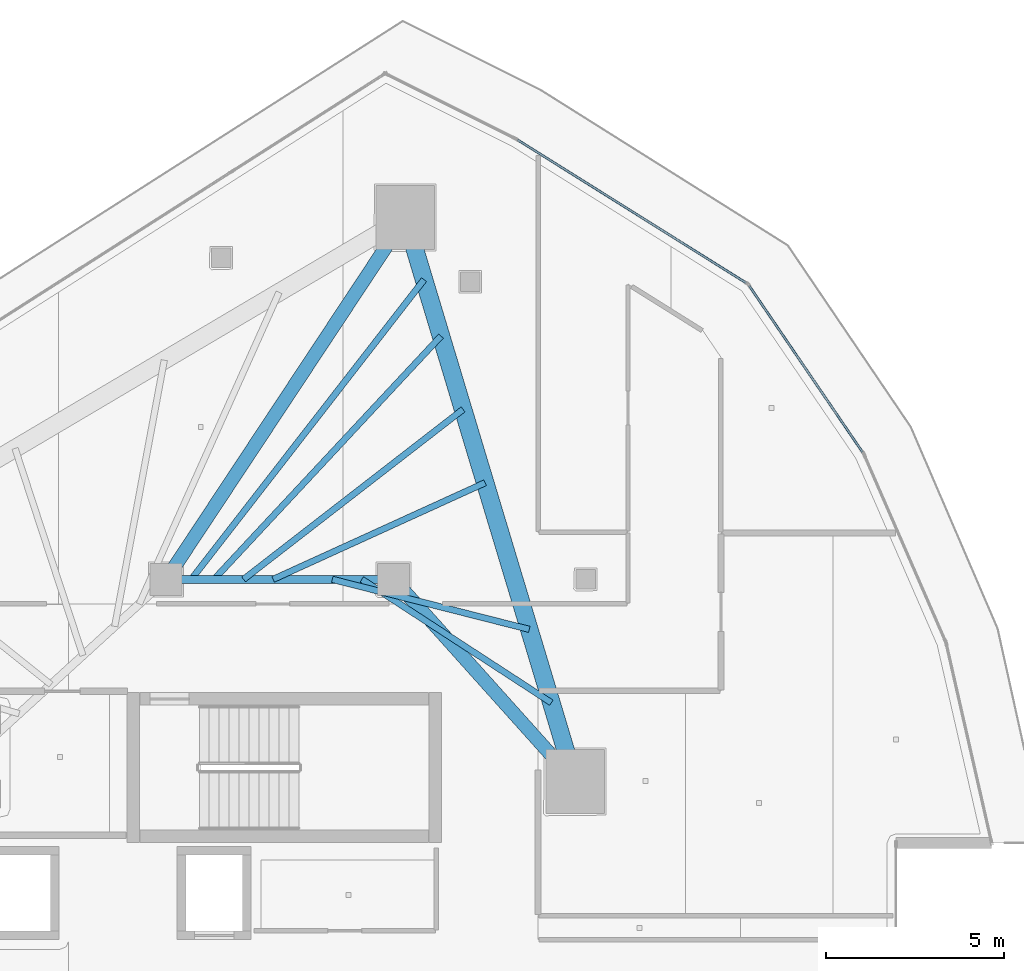
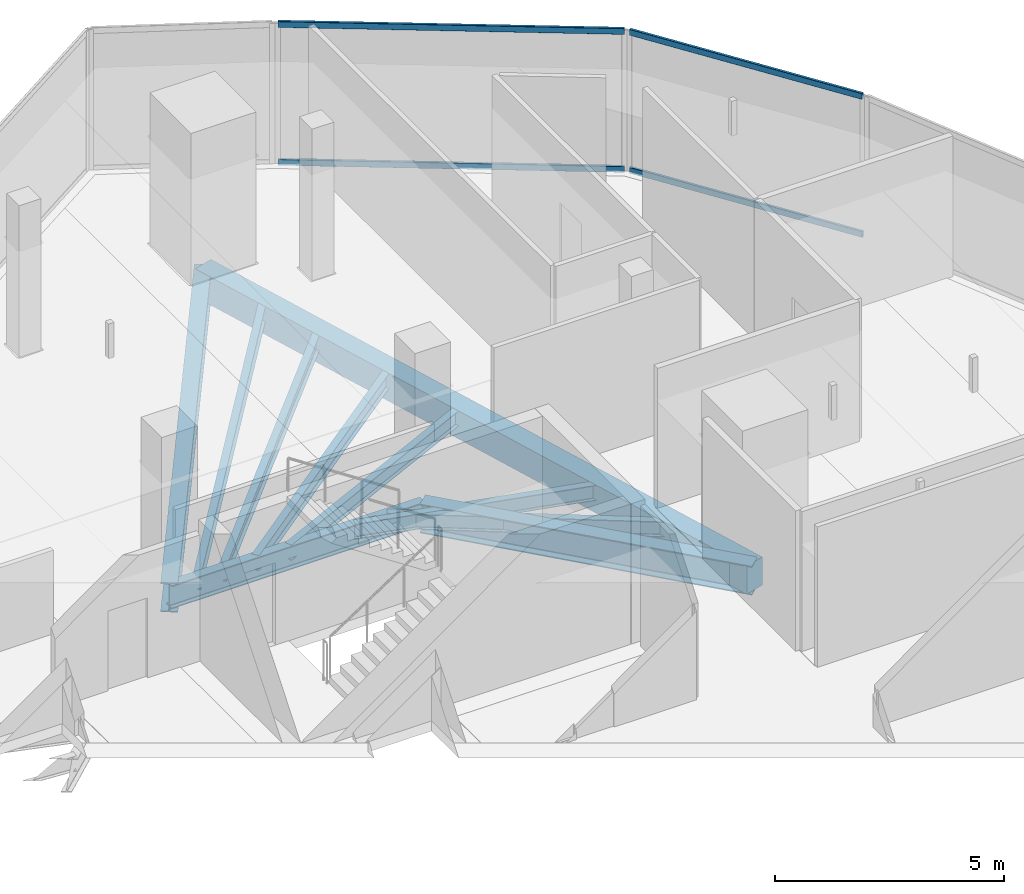
# One storey, part 20 of 34: 10 beams, 4 members, 2 elements without a shape of their own.
"""IFC4 building model written with IfcOpenShell, lengths in metres."""

from ifc_helpers import new_model, si_unit, direction, frame, origin, origin_2d, place, context, subcontext, project, spatial, rectangle, hollow_rectangle, i_section, extrude, material, layer, layer_set, material_profile, profile_set, type_object, element, aggregate, save


model = new_model("IFC4")

# Units and contexts
model_context = context("Model", 3, precision=1e-05, world=origin(), true_north=direction((0.0, 1.0)))
body_context = subcontext(model_context, "Body", "Model", "MODEL_VIEW")
ifc_project = project(units=[si_unit("LENGTHUNIT", "METRE"), si_unit("AREAUNIT", "SQUARE_METRE"), si_unit("VOLUMEUNIT", "CUBIC_METRE"), si_unit("PLANEANGLEUNIT", "RADIAN"), si_unit("MASSUNIT", "GRAM", prefix="KILO")], contexts=[model_context])

# Site, building, storey
site_placement = place(None, origin())
site = spatial("IfcSite", under=ifc_project, at=site_placement, CompositionType="ELEMENT")
building_placement = place(site_placement, origin())
building = spatial("IfcBuilding", under=site, at=building_placement, Name="Qorvath Tower", CompositionType="ELEMENT")
storey_placement = place(building_placement, frame((0.0, 0.0, 245.550048828125)))
storey = spatial("IfcBuildingStorey", under=building, at=storey_placement, Name="L57", CompositionType="ELEMENT", Elevation=245.550048828125)

# Beams
ifc_material_1 = material(Name="Steel ASTM A992 Grade 50", Category="steel")
ifc_material_profile_1 = material_profile(ifc_material_1, i_section(OverallWidth=0.381103515625, OverallDepth=0.77294921875, WebThickness=0.0166015625, FlangeThickness=0.027099609375, FilletRadius=0.01904296875, at=origin_2d()), Name="W30x173")
ifc_profile_set_1 = profile_set([ifc_material_profile_1], Name="Steel ASTM A992 Grade 50")
beam_type_1 = type_object("IfcBeamType", Name="BM-FG3", PredefinedType="BEAM", material=ifc_profile_set_1)
beam_1_placement = place(storey_placement, frame((-23.60009765625, 11.449951171875, -0.656494140625), z_axis=(0.551500517741, 0.834174549439, 0.0), x_axis=(-0.834174549439, 0.551500517741, 0.0)))
element("IfcBeam", 1, at=beam_1_placement, inside=storey, type_object=beam_type_1, Name="Radial Floor Girder CC1-MC6 L57", PredefinedType="BEAM", context=body_context, shape_type="SweptSolid", body=[
    extrude(i_section(OverallWidth=0.381103515625, OverallDepth=0.77294921875, WebThickness=0.0166015625, FlangeThickness=0.027099609375, FilletRadius=0.01904296875, at=origin_2d()), origin(), (0.0, 0.0, 1.0), 12.200439453125),
])
beam_2_placement = place(storey_placement, frame((-17.199951171875, 11.449951171875, -0.656494140625), z_axis=(0.667543184261, -0.744571082669, 0.0), x_axis=(0.744571082669, 0.667543184261, 0.0)))
element("IfcBeam", 2, at=beam_2_placement, inside=storey, type_object=beam_type_1, Name="Radial Floor Girder CC2-MC5 L57", PredefinedType="BEAM", context=body_context, shape_type="SweptSolid", body=[
    extrude(i_section(OverallWidth=0.381103515625, OverallDepth=0.77294921875, WebThickness=0.0166015625, FlangeThickness=0.027099609375, FilletRadius=0.01904296875, at=origin_2d()), origin(), (0.0, 0.0, 1.0), 7.644775390625),
])
ifc_material_2 = material(Name="Steel ASTM A992 Grade 50", Category="steel")
ifc_material_profile_2 = material_profile(ifc_material_2, i_section(OverallWidth=0.22998046875, OverallDepth=0.616943359375, WebThickness=0.01318359375, FlangeThickness=0.022216796875, FilletRadius=0.014892578125, at=origin_2d()), Name="W24x94")
ifc_profile_set_2 = profile_set([ifc_material_profile_2], Name="Steel ASTM A992 Grade 50")
beam_type_2 = type_object("IfcBeamType", Name="BM-FG6", PredefinedType="BEAM", material=ifc_profile_set_2)
beam_3_placement = place(storey_placement, frame((-23.60009765625, 11.449951171875, -0.57861328125), z_axis=(1.0, 0.0, 0.0), x_axis=(0.0, 1.0, 0.0)))
element("IfcBeam", 3, at=beam_3_placement, inside=storey, type_object=beam_type_2, Name="Core Ring Girder CC1-CC2 L57", PredefinedType="BEAM", context=body_context, shape_type="SweptSolid", body=[
    extrude(i_section(OverallWidth=0.22998046875, OverallDepth=0.616943359375, WebThickness=0.01318359375, FlangeThickness=0.022216796875, FilletRadius=0.014892578125, at=origin_2d()), origin(), (0.0, 0.0, 1.0), 6.400146484375),
])
ifc_material_3 = material(Name="Steel ASTM A992 Grade 50", Category="steel")
ifc_material_profile_3 = material_profile(ifc_material_3, i_section(OverallWidth=0.177978515625, OverallDepth=0.406005859375, WebThickness=0.0078125, FlangeThickness=0.0126953125, FilletRadius=0.010986328125, at=origin_2d()), Name="W16x40")
ifc_profile_set_3 = profile_set([ifc_material_profile_3], Name="Steel ASTM A992 Grade 50")
beam_type_3 = type_object("IfcBeamType", Name="BM-FJ3", PredefinedType="JOIST", material=ifc_profile_set_3)
beam_4_placement = place(storey_placement, frame((-18.095947265625, 11.449951171875, -0.47314453125), z_axis=(0.838041756057, -0.545606098853, 0.0), x_axis=(0.545606098853, 0.838041756057, 0.0)))
element("IfcBeam", 4, at=beam_4_placement, inside=storey, type_object=beam_type_3, Name="Composite Floor Joist NE1 L57", PredefinedType="JOIST", context=body_context, shape_type="SweptSolid", body=[
    extrude(i_section(OverallWidth=0.177978515625, OverallDepth=0.406005859375, WebThickness=0.0078125, FlangeThickness=0.0126953125, FilletRadius=0.010986328125, at=origin_2d()), origin(), (0.0, 0.0, 1.0), 6.36083984375),
])
beam_5_placement = place(storey_placement, frame((-18.927978515625, 11.449951171875, -0.47314453125), z_axis=(0.969231577698, -0.246150662794, 0.0), x_axis=(0.246150662794, 0.969231577698, 0.0)))
element("IfcBeam", 5, at=beam_5_placement, inside=storey, type_object=beam_type_3, Name="Composite Floor Joist NE2 L57", PredefinedType="JOIST", context=body_context, shape_type="SweptSolid", body=[
    extrude(i_section(OverallWidth=0.177978515625, OverallDepth=0.406005859375, WebThickness=0.0078125, FlangeThickness=0.0126953125, FilletRadius=0.010986328125, at=origin_2d()), origin(), (0.0, 0.0, 1.0), 5.718017578125),
])
beam_6_placement = place(storey_placement, frame((-20.592041015625, 11.449951171875, -0.47314453125), z_axis=(0.909945081179, 0.414728765868, 0.0), x_axis=(-0.414728765868, 0.909945081179, 0.0)))
element("IfcBeam", 6, at=beam_6_placement, inside=storey, type_object=beam_type_3, Name="Composite Floor Joist NE4 L57", PredefinedType="JOIST", context=body_context, shape_type="SweptSolid", body=[
    extrude(i_section(OverallWidth=0.177978515625, OverallDepth=0.406005859375, WebThickness=0.0078125, FlangeThickness=0.0126953125, FilletRadius=0.010986328125, at=origin_2d()), origin(), (0.0, 0.0, 1.0), 6.554931640625),
])
beam_7_placement = place(storey_placement, frame((-21.424072265625, 11.449951171875, -0.47314453125), z_axis=(0.790693445503, 0.612212279555, 0.0), x_axis=(-0.612212279555, 0.790693445503, 0.0)))
element("IfcBeam", 7, at=beam_7_placement, inside=storey, type_object=beam_type_3, Name="Composite Floor Joist NE5 L57", PredefinedType="JOIST", context=body_context, shape_type="SweptSolid", body=[
    extrude(i_section(OverallWidth=0.177978515625, OverallDepth=0.406005859375, WebThickness=0.0078125, FlangeThickness=0.0126953125, FilletRadius=0.010986328125, at=origin_2d()), origin(), (0.0, 0.0, 1.0), 7.810546875),
])
beam_8_placement = place(storey_placement, frame((-22.256103515625, 11.449951171875, -0.47314453125), z_axis=(0.682249490937, 0.731119437654, 0.0), x_axis=(-0.731119437654, 0.682249490937, 0.0)))
element("IfcBeam", 8, at=beam_8_placement, inside=storey, type_object=beam_type_3, Name="Composite Floor Joist NE6 L57", PredefinedType="JOIST", context=body_context, shape_type="SweptSolid", body=[
    extrude(i_section(OverallWidth=0.177978515625, OverallDepth=0.406005859375, WebThickness=0.0078125, FlangeThickness=0.0126953125, FilletRadius=0.010986328125, at=origin_2d()), origin(), (0.0, 0.0, 1.0), 9.362060546875),
])
beam_9_placement = place(storey_placement, frame((-22.89599609375, 11.449951171875, -0.47314453125), z_axis=(0.61345131907, 0.789732536452, 0.0), x_axis=(-0.789732536452, 0.61345131907, 0.0)))
element("IfcBeam", 9, at=beam_9_placement, inside=storey, type_object=beam_type_3, Name="Composite Floor Joist NE7 L57", PredefinedType="JOIST", context=body_context, shape_type="SweptSolid", body=[
    extrude(i_section(OverallWidth=0.177978515625, OverallDepth=0.406005859375, WebThickness=0.0078125, FlangeThickness=0.0126953125, FilletRadius=0.010986328125, at=origin_2d()), origin(), (0.0, 0.0, 1.0), 10.676513671875),
])
ifc_material_4 = material(Name="Concrete C45/55", Category="concrete")
ifc_material_profile_4 = material_profile(ifc_material_4, rectangle(XDim=0.5, YDim=0.75, at=origin_2d()), Name="RCB 750x500")
ifc_profile_set_4 = profile_set([ifc_material_profile_4], Name="Concrete C45/55")
beam_type_4 = type_object("IfcBeamType", Name="BM-RCB3", PredefinedType="SPANDREL", material=ifc_profile_set_4)
beam_10_placement = place(storey_placement, frame((-12.0966796875, 5.7578125, -0.64501953125), z_axis=(-0.28812763802, 0.957592013443, 0.0), x_axis=(-0.957592013443, -0.28812763802, 0.0)))
element("IfcBeam", 10, at=beam_10_placement, inside=storey, type_object=beam_type_4, Name="Perimeter Loggia Frame Beam MC5-MC6 L57", PredefinedType="SPANDREL", context=body_context, shape_type="SweptSolid", body=[
    extrude(rectangle(XDim=0.5, YDim=0.75, at=origin_2d()), origin(), (0.0, 0.0, 1.0), 16.572265625),
])

# Curtain wall, members
ifc_material_5 = material(Name="Anodised aluminium and triple low-E glass", Category="aluminium")
ifc_layer = layer(ifc_material_5, 0.179931640625)
ifc_layer_set = layer_set([ifc_layer], Name="CW-SYS-3")
curtain_wall_type = type_object("IfcCurtainWallType", Name="CW-SYS-3", PredefinedType="NOTDEFINED", material=ifc_layer_set)
curtain_wall_1_placement = place(storey_placement, origin())
curtain_wall_1 = element("IfcCurtainWall", 11, at=curtain_wall_1_placement, inside=storey, type_object=curtain_wall_type, Name="Curtain Wall CW-3 CW-T-L57-13.1", PredefinedType="NOTDEFINED")
ifc_material_6 = material(Name="Anodised aluminium 6063-T6", Category="aluminium")
ifc_material_profile_5 = material_profile(ifc_material_6, hollow_rectangle(XDim=0.06494140625, YDim=0.159912109375, WallThickness=0.00341796875, InnerFilletRadius=0.00341796875, OuterFilletRadius=0.007080078125, at=origin_2d()), Name="CWT 160x65")
ifc_profile_set_5 = profile_set([ifc_material_profile_5], Name="Anodised aluminium 6063-T6")
member_type = type_object("IfcMemberType", Name="CWT-160", PredefinedType="USERDEFINED", material=ifc_profile_set_5)
member_1_placement = place(storey_placement, frame((-4.010498046875, 15.030517578125, 0.032470703125), z_axis=(-0.563031341183, 0.826435544278, 0.0), x_axis=(-0.826435544278, -0.563031341183, 0.0)))
member_1 = element("IfcMember", 12, at=member_1_placement, type_object=member_type, Name="CW-3 transom 1.1", ObjectType="TRANSOM", PredefinedType="USERDEFINED", context=body_context, shape_type="SweptSolid", body=[
    extrude(hollow_rectangle(XDim=0.06494140625, YDim=0.159912109375, WallThickness=0.00341796875, InnerFilletRadius=0.00341796875, OuterFilletRadius=0.007080078125, at=origin_2d()), origin(), (0.0, 0.0, 1.0), 5.65478515625),
])
member_2_placement = place(storey_placement, frame((-4.010498046875, 15.030517578125, 3.717529296875), z_axis=(-0.563031341183, 0.826435544278, 0.0), x_axis=(-0.826435544278, -0.563031341183, 0.0)))
member_2 = element("IfcMember", 13, at=member_2_placement, type_object=member_type, Name="CW-3 transom 1.2", ObjectType="TRANSOM", PredefinedType="USERDEFINED", context=body_context, shape_type="SweptSolid", body=[
    extrude(hollow_rectangle(XDim=0.06494140625, YDim=0.159912109375, WallThickness=0.00341796875, InnerFilletRadius=0.00341796875, OuterFilletRadius=0.007080078125, at=origin_2d()), origin(), (0.0, 0.0, 1.0), 5.65478515625),
])
aggregate(curtain_wall_1, [member_1, member_2])

curtain_wall_2_placement = place(storey_placement, origin())
curtain_wall_2 = element("IfcCurtainWall", 14, at=curtain_wall_2_placement, inside=storey, type_object=curtain_wall_type, Name="Curtain Wall CW-3 CW-T-L57-14.1", PredefinedType="NOTDEFINED")
member_3_placement = place(storey_placement, frame((-7.2861328125, 19.7919921875, 0.032470703125), z_axis=(-0.847683443386, 0.530502384357, 0.0), x_axis=(-0.530502384357, -0.847683443386, 0.0)))
member_3 = element("IfcMember", 15, at=member_3_placement, type_object=member_type, Name="CW-3 transom 1.1", ObjectType="TRANSOM", PredefinedType="USERDEFINED", context=body_context, shape_type="SweptSolid", body=[
    extrude(hollow_rectangle(XDim=0.06494140625, YDim=0.159912109375, WallThickness=0.00341796875, InnerFilletRadius=0.00341796875, OuterFilletRadius=0.007080078125, at=origin_2d()), origin(), (0.0, 0.0, 1.0), 7.583251953125),
])
member_4_placement = place(storey_placement, frame((-7.2861328125, 19.7919921875, 3.717529296875), z_axis=(-0.847683443386, 0.530502384357, 0.0), x_axis=(-0.530502384357, -0.847683443386, 0.0)))
member_4 = element("IfcMember", 16, at=member_4_placement, type_object=member_type, Name="CW-3 transom 1.2", ObjectType="TRANSOM", PredefinedType="USERDEFINED", context=body_context, shape_type="SweptSolid", body=[
    extrude(hollow_rectangle(XDim=0.06494140625, YDim=0.159912109375, WallThickness=0.00341796875, InnerFilletRadius=0.00341796875, OuterFilletRadius=0.007080078125, at=origin_2d()), origin(), (0.0, 0.0, 1.0), 7.583251953125),
])
aggregate(curtain_wall_2, [member_3, member_4])

save(model, "model.ifc")
